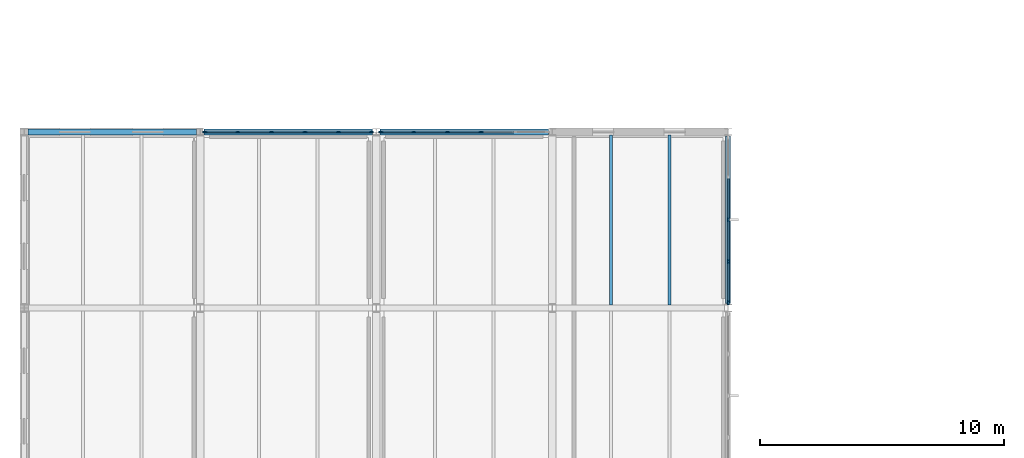
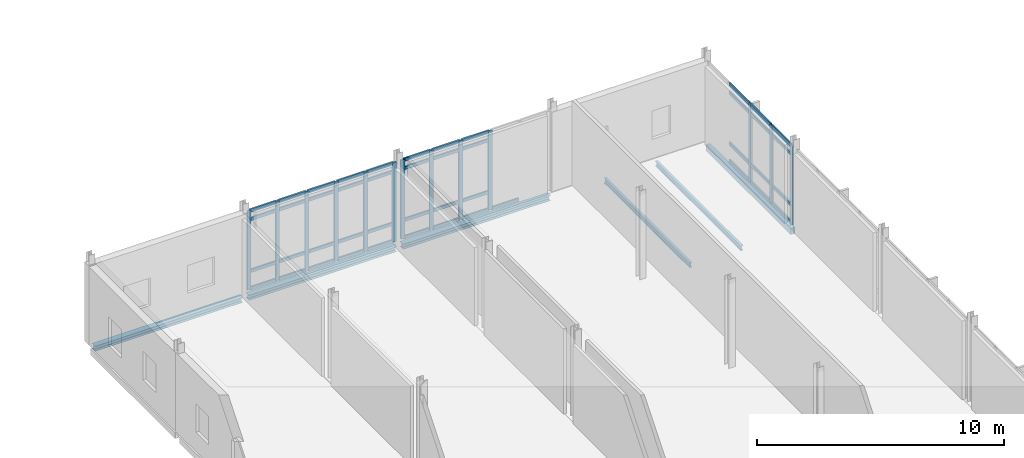
# One storey, part 13 of 43: 58 members, 6 beams, 3 elements without a shape of their own.
"""IFC4 building model written with IfcOpenShell, lengths in metres."""

from ifc_helpers import new_model, si_unit, direction, frame, origin, origin_2d, place, context, subcontext, project, spatial, rectangle, hollow_rectangle, i_section, extrude, material, layer, layer_set, material_profile, profile_set, type_object, element, aggregate, save


model = new_model("IFC4")

# Units and contexts
model_context = context("Model", 3, precision=1e-05, world=origin(), true_north=direction((0.0, 1.0)))
body_context = subcontext(model_context, "Body", "Model", "MODEL_VIEW")
ifc_project = project(units=[si_unit("LENGTHUNIT", "METRE"), si_unit("AREAUNIT", "SQUARE_METRE"), si_unit("VOLUMEUNIT", "CUBIC_METRE"), si_unit("PLANEANGLEUNIT", "RADIAN"), si_unit("MASSUNIT", "GRAM", prefix="KILO")], contexts=[model_context])

# Site, building, storey
site_placement = place(None, origin())
site = spatial("IfcSite", under=ifc_project, at=site_placement, CompositionType="ELEMENT")
building_placement = place(site_placement, origin())
building = spatial("IfcBuilding", under=site, at=building_placement, Name="Zarrinpeak Specialist Clinic", CompositionType="ELEMENT")
storey_placement = place(building_placement, frame((0.0, 0.0, 18.39990234375)))
storey = spatial("IfcBuildingStorey", under=building, at=storey_placement, Name="L04", CompositionType="ELEMENT", Elevation=18.39990234375)

# Beams
ifc_material_1 = material(Name="Steel S355", Category="steel")
ifc_material_profile_1 = material_profile(ifc_material_1, i_section(OverallWidth=0.260009765625, OverallDepth=0.25, WebThickness=0.007568359375, FlangeThickness=0.012451171875, FilletRadius=0.02392578125, at=origin_2d()), Name="HEA 260")
ifc_profile_set_1 = profile_set([ifc_material_profile_1], Name="Steel S355")
beam_type_1 = type_object("IfcBeamType", Name="BM-HEA260", PredefinedType="BEAM", material=ifc_profile_set_1)
for number, where, z_axis, x_axis, name in (
    (1, (0.14794921875, 50.39990234375, -0.324951171875), (1.0, 0.0, 0.0), (0.0, 1.0, 0.0), "L04 Primary Floor Girder BM-L04-X1859"),
    (2, (7.347900390625, 50.39990234375, -0.324951171875), (1.0, 0.0, 0.0), (0.0, 1.0, 0.0), "L04 Primary Floor Girder BM-L04-X1860"),
):
    element("IfcBeam", number, at=place(storey_placement, frame(where, z_axis=z_axis, x_axis=x_axis)), inside=storey, type_object=beam_type_1, Name=name, PredefinedType="BEAM", context=body_context, shape_type="SweptSolid", body=[
        extrude(i_section(OverallWidth=0.260009765625, OverallDepth=0.25, WebThickness=0.007568359375, FlangeThickness=0.012451171875, FilletRadius=0.02392578125, at=origin_2d()), origin(), (0.0, 0.0, 1.0), 6.904052734375),
    ])
beam_1_placement = place(storey_placement, frame((14.548095703125, 50.39990234375, -0.324951171875), z_axis=(1.0, 0.0, 0.0), x_axis=(0.0, 1.0, 0.0)))
element("IfcBeam", 3, at=beam_1_placement, inside=storey, type_object=beam_type_1, Name="L04 Primary Floor Girder BM-L04-X1861", PredefinedType="BEAM", context=body_context, shape_type="SweptSolid", body=[
    extrude(i_section(OverallWidth=0.260009765625, OverallDepth=0.25, WebThickness=0.007568359375, FlangeThickness=0.012451171875, FilletRadius=0.02392578125, at=origin_2d()), origin(), (0.0, 0.0, 1.0), 6.90380859375),
])
ifc_material_profile_2 = material_profile(ifc_material_1, i_section(OverallWidth=0.1201171875, OverallDepth=0.239990234375, WebThickness=0.006103515625, FlangeThickness=0.009765625, FilletRadius=0.014892578125, at=origin_2d()), Name="IPE 240")
ifc_profile_set_2 = profile_set([ifc_material_profile_2], Name="Steel S355")
beam_type_2 = type_object("IfcBeamType", Name="BM-JST240", PredefinedType="JOIST", material=ifc_profile_set_2)
for number, where, z_axis, x_axis, name in (
    (4, (24.0, 43.327880859375, -0.31982421875), (0.0, 1.0, 0.0), (-1.0, 0.0, 0.0), "L04 Composite Floor Joist JST-L04-1987"),
    (5, (26.39990234375, 43.327880859375, -0.31982421875), (0.0, 1.0, 0.0), (-1.0, 0.0, 0.0), "L04 Composite Floor Joist JST-L04-1988"),
):
    element("IfcBeam", number, at=place(storey_placement, frame(where, z_axis=z_axis, x_axis=x_axis)), inside=storey, type_object=beam_type_2, Name=name, PredefinedType="JOIST", context=body_context, shape_type="SweptSolid", body=[
        extrude(i_section(OverallWidth=0.1201171875, OverallDepth=0.239990234375, WebThickness=0.006103515625, FlangeThickness=0.009765625, FilletRadius=0.014892578125, at=origin_2d()), origin(), (0.0, 0.0, 1.0), 6.944091796875),
    ])
ifc_material_profile_3 = material_profile(ifc_material_1, hollow_rectangle(XDim=0.199951171875, YDim=0.300048828125, WallThickness=0.012451171875, at=origin_2d()), Name="RHS 300x200x12.5")
ifc_profile_set_3 = profile_set([ifc_material_profile_3], Name="Steel S355")
beam_type_3 = type_object("IfcBeamType", Name="BM-SP300", PredefinedType="SPANDREL", material=ifc_profile_set_3)
beam_2_placement = place(storey_placement, frame((28.800048828125, 43.3779296875, -0.349853515625), z_axis=(0.0, 1.0, 0.0), x_axis=(-1.0, 0.0, 0.0)))
element("IfcBeam", 6, at=beam_2_placement, inside=storey, type_object=beam_type_3, Name="L04 Perimeter Spandrel Beam BM-L04-Y1909", PredefinedType="SPANDREL", context=body_context, shape_type="SweptSolid", body=[
    extrude(hollow_rectangle(XDim=0.199951171875, YDim=0.300048828125, WallThickness=0.012451171875, at=origin_2d()), origin(), (0.0, 0.0, 1.0), 6.864013671875),
])

# Curtain wall, members
ifc_material_2 = material(Name="Anodised Aluminium Alloy 6063-T6", Category="aluminium")
ifc_layer_1 = layer(ifc_material_2, 0.1650390625)
ifc_layer_set_1 = layer_set([ifc_layer_1], Name="Anodised Aluminium Alloy 6063-T6")
curtain_wall_type_1 = type_object("IfcCurtainWallType", Name="CW-CLINIC", PredefinedType="NOTDEFINED", material=ifc_layer_set_1)
curtain_wall_1_placement = place(storey_placement, origin())
curtain_wall_1 = element("IfcCurtainWall", 7, at=curtain_wall_1_placement, inside=storey, type_object=curtain_wall_type_1, Name="L04 V1 Unitised Curtain Wall CW-L04-V1-025", PredefinedType="NOTDEFINED")
ifc_material_profile_4 = material_profile(ifc_material_2, rectangle(XDim=0.074951171875, YDim=0.179931640625, at=origin_2d()), Name="ALU 75x180")
ifc_profile_set_4 = profile_set([ifc_material_profile_4], Name="Anodised Aluminium Alloy 6063-T6")
member_type_1 = type_object("IfcMemberType", Name="CWM-75", PredefinedType="MULLION", material=ifc_profile_set_4)
member_1_placement = place(storey_placement, frame((14.197509765625, 50.39990234375, 0.0), z_axis=(0.0, 0.0, 1.0), x_axis=(0.0, -1.0, 0.0)))
member_1 = element("IfcMember", 8, at=member_1_placement, type_object=member_type_1, Name="CW-03 mullion 1", PredefinedType="MULLION", context=body_context, shape_type="SweptSolid", body=[
    extrude(rectangle(XDim=0.074951171875, YDim=0.179931640625, at=origin_2d()), origin(), (0.0, 0.0, 1.0), 3.9150390625),
])
member_2_placement = place(storey_placement, frame((12.861083984375, 50.39990234375, 0.0), z_axis=(0.0, 0.0, 1.0), x_axis=(0.0, -1.0, 0.0)))
member_2 = element("IfcMember", 9, at=member_2_placement, type_object=member_type_1, Name="CW-03 mullion 2", PredefinedType="MULLION", context=body_context, shape_type="SweptSolid", body=[
    extrude(rectangle(XDim=0.074951171875, YDim=0.179931640625, at=origin_2d()), origin(), (0.0, 0.0, 1.0), 3.9150390625),
])
member_3_placement = place(storey_placement, frame((11.487060546875, 50.39990234375, 0.0), z_axis=(0.0, 0.0, 1.0), x_axis=(0.0, -1.0, 0.0)))
member_3 = element("IfcMember", 10, at=member_3_placement, type_object=member_type_1, Name="CW-03 mullion 3", PredefinedType="MULLION", context=body_context, shape_type="SweptSolid", body=[
    extrude(rectangle(XDim=0.074951171875, YDim=0.179931640625, at=origin_2d()), origin(), (0.0, 0.0, 1.0), 3.9150390625),
])
member_4_placement = place(storey_placement, frame((10.113037109375, 50.39990234375, 0.0), z_axis=(0.0, 0.0, 1.0), x_axis=(0.0, -1.0, 0.0)))
member_4 = element("IfcMember", 11, at=member_4_placement, type_object=member_type_1, Name="CW-03 mullion 4", PredefinedType="MULLION", context=body_context, shape_type="SweptSolid", body=[
    extrude(rectangle(XDim=0.074951171875, YDim=0.179931640625, at=origin_2d()), origin(), (0.0, 0.0, 1.0), 3.9150390625),
])
member_5_placement = place(storey_placement, frame((8.739013671875, 50.39990234375, 0.0), z_axis=(0.0, 0.0, 1.0), x_axis=(0.0, -1.0, 0.0)))
member_5 = element("IfcMember", 12, at=member_5_placement, type_object=member_type_1, Name="CW-03 mullion 5", PredefinedType="MULLION", context=body_context, shape_type="SweptSolid", body=[
    extrude(rectangle(XDim=0.074951171875, YDim=0.179931640625, at=origin_2d()), origin(), (0.0, 0.0, 1.0), 3.9150390625),
])
member_6_placement = place(storey_placement, frame((7.402587890625, 50.39990234375, 0.0), z_axis=(0.0, 0.0, 1.0), x_axis=(0.0, -1.0, 0.0)))
member_6 = element("IfcMember", 13, at=member_6_placement, type_object=member_type_1, Name="CW-03 mullion 6", PredefinedType="MULLION", context=body_context, shape_type="SweptSolid", body=[
    extrude(rectangle(XDim=0.074951171875, YDim=0.179931640625, at=origin_2d()), origin(), (0.0, 0.0, 1.0), 3.9150390625),
])

curtain_wall_2_placement = place(storey_placement, origin())
curtain_wall_2 = element("IfcCurtainWall", 14, at=curtain_wall_2_placement, inside=storey, type_object=curtain_wall_type_1, Name="L04 V1 Unitised Curtain Wall CW-L04-V1-026", PredefinedType="NOTDEFINED")
member_7_placement = place(storey_placement, frame((18.68701171875, 50.39990234375, 0.0), z_axis=(0.0, 0.0, 1.0), x_axis=(0.0, -1.0, 0.0)))
member_7 = element("IfcMember", 15, at=member_7_placement, type_object=member_type_1, Name="CW-03 mullion 3", PredefinedType="MULLION", context=body_context, shape_type="SweptSolid", body=[
    extrude(rectangle(XDim=0.074951171875, YDim=0.179931640625, at=origin_2d()), origin(), (0.0, 0.0, 1.0), 3.9150390625),
])
member_8_placement = place(storey_placement, frame((17.31298828125, 50.39990234375, 0.0), z_axis=(0.0, 0.0, 1.0), x_axis=(0.0, -1.0, 0.0)))
member_8 = element("IfcMember", 16, at=member_8_placement, type_object=member_type_1, Name="CW-03 mullion 4", PredefinedType="MULLION", context=body_context, shape_type="SweptSolid", body=[
    extrude(rectangle(XDim=0.074951171875, YDim=0.179931640625, at=origin_2d()), origin(), (0.0, 0.0, 1.0), 3.9150390625),
])
member_9_placement = place(storey_placement, frame((15.93896484375, 50.39990234375, 0.0), z_axis=(0.0, 0.0, 1.0), x_axis=(0.0, -1.0, 0.0)))
member_9 = element("IfcMember", 17, at=member_9_placement, type_object=member_type_1, Name="CW-03 mullion 5", PredefinedType="MULLION", context=body_context, shape_type="SweptSolid", body=[
    extrude(rectangle(XDim=0.074951171875, YDim=0.179931640625, at=origin_2d()), origin(), (0.0, 0.0, 1.0), 3.9150390625),
])
member_10_placement = place(storey_placement, frame((14.6025390625, 50.39990234375, 0.0), z_axis=(0.0, 0.0, 1.0), x_axis=(0.0, -1.0, 0.0)))
member_10 = element("IfcMember", 18, at=member_10_placement, type_object=member_type_1, Name="CW-03 mullion 6", PredefinedType="MULLION", context=body_context, shape_type="SweptSolid", body=[
    extrude(rectangle(XDim=0.074951171875, YDim=0.179931640625, at=origin_2d()), origin(), (0.0, 0.0, 1.0), 3.9150390625),
])

ifc_layer_2 = layer(ifc_material_2, 0.179931640625)
ifc_layer_set_2 = layer_set([ifc_layer_2], Name="Anodised Aluminium Alloy 6063-T6")
curtain_wall_type_2 = type_object("IfcCurtainWallType", Name="CW-COURT", PredefinedType="NOTDEFINED", material=ifc_layer_set_2)
curtain_wall_3_placement = place(storey_placement, origin())
curtain_wall_3 = element("IfcCurtainWall", 19, at=curtain_wall_3_placement, inside=storey, type_object=curtain_wall_type_2, Name="L04 V1 Unitised Curtain Wall CW-L04-V1-030", PredefinedType="NOTDEFINED")
member_11_placement = place(storey_placement, frame((28.800048828125, 43.422607421875, 0.0), z_axis=(0.0, 0.0, 1.0), x_axis=(-1.0, 0.0, 0.0)))
member_11 = element("IfcMember", 20, at=member_11_placement, type_object=member_type_1, Name="CW-01 mullion 1", PredefinedType="MULLION", context=body_context, shape_type="SweptSolid", body=[
    extrude(rectangle(XDim=0.074951171875, YDim=0.179931640625, at=origin_2d()), origin(), (0.0, 0.0, 1.0), 3.864990234375),
])
member_12_placement = place(storey_placement, frame((28.800048828125, 45.097412109375, 0.0), z_axis=(0.0, 0.0, 1.0), x_axis=(-1.0, 0.0, 0.0)))
member_12 = element("IfcMember", 21, at=member_12_placement, type_object=member_type_1, Name="CW-01 mullion 2", PredefinedType="MULLION", context=body_context, shape_type="SweptSolid", body=[
    extrude(rectangle(XDim=0.074951171875, YDim=0.179931640625, at=origin_2d()), origin(), (0.0, 0.0, 1.0), 3.864990234375),
])
member_13_placement = place(storey_placement, frame((28.800048828125, 46.81005859375, 0.0), z_axis=(0.0, 0.0, 1.0), x_axis=(-1.0, 0.0, 0.0)))
member_13 = element("IfcMember", 22, at=member_13_placement, type_object=member_type_1, Name="CW-01 mullion 3", PredefinedType="MULLION", context=body_context, shape_type="SweptSolid", body=[
    extrude(rectangle(XDim=0.074951171875, YDim=0.179931640625, at=origin_2d()), origin(), (0.0, 0.0, 1.0), 3.864990234375),
])

# Member
ifc_material_profile_5 = material_profile(ifc_material_2, rectangle(XDim=0.074951171875, YDim=0.159912109375, at=origin_2d()), Name="ALU 75x160")
ifc_profile_set_5 = profile_set([ifc_material_profile_5], Name="Anodised Aluminium Alloy 6063-T6")
member_type_2 = type_object("IfcMemberType", Name="CWT-75", PredefinedType="USERDEFINED", material=ifc_profile_set_5)
member_14_placement = place(storey_placement, frame((14.159912109375, 50.39990234375, 0.03759765625), z_axis=(-1.0, 0.0, 0.0), x_axis=(0.0, -1.0, 0.0)))
member_14 = element("IfcMember", 23, at=member_14_placement, type_object=member_type_2, Name="CW-03 transom 1.1", ObjectType="TRANSOM", PredefinedType="USERDEFINED", context=body_context, shape_type="SweptSolid", body=[
    extrude(rectangle(XDim=0.074951171875, YDim=0.159912109375, at=origin_2d()), origin(), (0.0, 0.0, 1.0), 1.261474609375),
])

member_15_placement = place(storey_placement, frame((14.159912109375, 50.39990234375, 0.900146484375), z_axis=(-1.0, 0.0, 0.0), x_axis=(0.0, -1.0, 0.0)))
member_15 = element("IfcMember", 24, at=member_15_placement, type_object=member_type_2, Name="CW-03 transom 1.2", ObjectType="TRANSOM", PredefinedType="USERDEFINED", context=body_context, shape_type="SweptSolid", body=[
    extrude(rectangle(XDim=0.074951171875, YDim=0.159912109375, at=origin_2d()), origin(), (0.0, 0.0, 1.0), 1.261474609375),
])

member_16_placement = place(storey_placement, frame((14.159912109375, 50.39990234375, 3.465087890625), z_axis=(-1.0, 0.0, 0.0), x_axis=(0.0, -1.0, 0.0)))
member_16 = element("IfcMember", 25, at=member_16_placement, type_object=member_type_2, Name="CW-03 transom 1.3", ObjectType="TRANSOM", PredefinedType="USERDEFINED", context=body_context, shape_type="SweptSolid", body=[
    extrude(rectangle(XDim=0.074951171875, YDim=0.159912109375, at=origin_2d()), origin(), (0.0, 0.0, 1.0), 1.261474609375),
])

member_17_placement = place(storey_placement, frame((14.159912109375, 50.39990234375, 3.877685546875), z_axis=(-1.0, 0.0, 0.0), x_axis=(0.0, -1.0, 0.0)))
member_17 = element("IfcMember", 26, at=member_17_placement, type_object=member_type_2, Name="CW-03 transom 1.4", ObjectType="TRANSOM", PredefinedType="USERDEFINED", context=body_context, shape_type="SweptSolid", body=[
    extrude(rectangle(XDim=0.074951171875, YDim=0.159912109375, at=origin_2d()), origin(), (0.0, 0.0, 1.0), 1.261474609375),
])

member_18_placement = place(storey_placement, frame((12.823486328125, 50.39990234375, 0.03759765625), z_axis=(-1.0, 0.0, 0.0), x_axis=(0.0, -1.0, 0.0)))
member_18 = element("IfcMember", 27, at=member_18_placement, type_object=member_type_2, Name="CW-03 transom 2.1", ObjectType="TRANSOM", PredefinedType="USERDEFINED", context=body_context, shape_type="SweptSolid", body=[
    extrude(rectangle(XDim=0.074951171875, YDim=0.159912109375, at=origin_2d()), origin(), (0.0, 0.0, 1.0), 1.299072265625),
])

member_19_placement = place(storey_placement, frame((12.823486328125, 50.39990234375, 0.900146484375), z_axis=(-1.0, 0.0, 0.0), x_axis=(0.0, -1.0, 0.0)))
member_19 = element("IfcMember", 28, at=member_19_placement, type_object=member_type_2, Name="CW-03 transom 2.2", ObjectType="TRANSOM", PredefinedType="USERDEFINED", context=body_context, shape_type="SweptSolid", body=[
    extrude(rectangle(XDim=0.074951171875, YDim=0.159912109375, at=origin_2d()), origin(), (0.0, 0.0, 1.0), 1.299072265625),
])

member_20_placement = place(storey_placement, frame((12.823486328125, 50.39990234375, 3.465087890625), z_axis=(-1.0, 0.0, 0.0), x_axis=(0.0, -1.0, 0.0)))
member_20 = element("IfcMember", 29, at=member_20_placement, type_object=member_type_2, Name="CW-03 transom 2.3", ObjectType="TRANSOM", PredefinedType="USERDEFINED", context=body_context, shape_type="SweptSolid", body=[
    extrude(rectangle(XDim=0.074951171875, YDim=0.159912109375, at=origin_2d()), origin(), (0.0, 0.0, 1.0), 1.299072265625),
])

member_21_placement = place(storey_placement, frame((12.823486328125, 50.39990234375, 3.877685546875), z_axis=(-1.0, 0.0, 0.0), x_axis=(0.0, -1.0, 0.0)))
member_21 = element("IfcMember", 30, at=member_21_placement, type_object=member_type_2, Name="CW-03 transom 2.4", ObjectType="TRANSOM", PredefinedType="USERDEFINED", context=body_context, shape_type="SweptSolid", body=[
    extrude(rectangle(XDim=0.074951171875, YDim=0.159912109375, at=origin_2d()), origin(), (0.0, 0.0, 1.0), 1.299072265625),
])

member_22_placement = place(storey_placement, frame((11.449462890625, 50.39990234375, 0.03759765625), z_axis=(-1.0, 0.0, 0.0), x_axis=(0.0, -1.0, 0.0)))
member_22 = element("IfcMember", 31, at=member_22_placement, type_object=member_type_2, Name="CW-03 transom 3.1", ObjectType="TRANSOM", PredefinedType="USERDEFINED", context=body_context, shape_type="SweptSolid", body=[
    extrude(rectangle(XDim=0.074951171875, YDim=0.159912109375, at=origin_2d()), origin(), (0.0, 0.0, 1.0), 1.299072265625),
])

member_23_placement = place(storey_placement, frame((11.449462890625, 50.39990234375, 0.900146484375), z_axis=(-1.0, 0.0, 0.0), x_axis=(0.0, -1.0, 0.0)))
member_23 = element("IfcMember", 32, at=member_23_placement, type_object=member_type_2, Name="CW-03 transom 3.2", ObjectType="TRANSOM", PredefinedType="USERDEFINED", context=body_context, shape_type="SweptSolid", body=[
    extrude(rectangle(XDim=0.074951171875, YDim=0.159912109375, at=origin_2d()), origin(), (0.0, 0.0, 1.0), 1.299072265625),
])

member_24_placement = place(storey_placement, frame((11.449462890625, 50.39990234375, 3.465087890625), z_axis=(-1.0, 0.0, 0.0), x_axis=(0.0, -1.0, 0.0)))
member_24 = element("IfcMember", 33, at=member_24_placement, type_object=member_type_2, Name="CW-03 transom 3.3", ObjectType="TRANSOM", PredefinedType="USERDEFINED", context=body_context, shape_type="SweptSolid", body=[
    extrude(rectangle(XDim=0.074951171875, YDim=0.159912109375, at=origin_2d()), origin(), (0.0, 0.0, 1.0), 1.299072265625),
])

member_25_placement = place(storey_placement, frame((11.449462890625, 50.39990234375, 3.877685546875), z_axis=(-1.0, 0.0, 0.0), x_axis=(0.0, -1.0, 0.0)))
member_25 = element("IfcMember", 34, at=member_25_placement, type_object=member_type_2, Name="CW-03 transom 3.4", ObjectType="TRANSOM", PredefinedType="USERDEFINED", context=body_context, shape_type="SweptSolid", body=[
    extrude(rectangle(XDim=0.074951171875, YDim=0.159912109375, at=origin_2d()), origin(), (0.0, 0.0, 1.0), 1.299072265625),
])

member_26_placement = place(storey_placement, frame((10.075439453125, 50.39990234375, 0.03759765625), z_axis=(-1.0, 0.0, 0.0), x_axis=(0.0, -1.0, 0.0)))
member_26 = element("IfcMember", 35, at=member_26_placement, type_object=member_type_2, Name="CW-03 transom 4.1", ObjectType="TRANSOM", PredefinedType="USERDEFINED", context=body_context, shape_type="SweptSolid", body=[
    extrude(rectangle(XDim=0.074951171875, YDim=0.159912109375, at=origin_2d()), origin(), (0.0, 0.0, 1.0), 1.298828125),
])

member_27_placement = place(storey_placement, frame((10.075439453125, 50.39990234375, 0.900146484375), z_axis=(-1.0, 0.0, 0.0), x_axis=(0.0, -1.0, 0.0)))
member_27 = element("IfcMember", 36, at=member_27_placement, type_object=member_type_2, Name="CW-03 transom 4.2", ObjectType="TRANSOM", PredefinedType="USERDEFINED", context=body_context, shape_type="SweptSolid", body=[
    extrude(rectangle(XDim=0.074951171875, YDim=0.159912109375, at=origin_2d()), origin(), (0.0, 0.0, 1.0), 1.298828125),
])

member_28_placement = place(storey_placement, frame((10.075439453125, 50.39990234375, 3.465087890625), z_axis=(-1.0, 0.0, 0.0), x_axis=(0.0, -1.0, 0.0)))
member_28 = element("IfcMember", 37, at=member_28_placement, type_object=member_type_2, Name="CW-03 transom 4.3", ObjectType="TRANSOM", PredefinedType="USERDEFINED", context=body_context, shape_type="SweptSolid", body=[
    extrude(rectangle(XDim=0.074951171875, YDim=0.159912109375, at=origin_2d()), origin(), (0.0, 0.0, 1.0), 1.298828125),
])

member_29_placement = place(storey_placement, frame((10.075439453125, 50.39990234375, 3.877685546875), z_axis=(-1.0, 0.0, 0.0), x_axis=(0.0, -1.0, 0.0)))
member_29 = element("IfcMember", 38, at=member_29_placement, type_object=member_type_2, Name="CW-03 transom 4.4", ObjectType="TRANSOM", PredefinedType="USERDEFINED", context=body_context, shape_type="SweptSolid", body=[
    extrude(rectangle(XDim=0.074951171875, YDim=0.159912109375, at=origin_2d()), origin(), (0.0, 0.0, 1.0), 1.298828125),
])

member_30_placement = place(storey_placement, frame((8.701416015625, 50.39990234375, 0.03759765625), z_axis=(-1.0, 0.0, 0.0), x_axis=(0.0, -1.0, 0.0)))
member_30 = element("IfcMember", 39, at=member_30_placement, type_object=member_type_2, Name="CW-03 transom 5.1", ObjectType="TRANSOM", PredefinedType="USERDEFINED", context=body_context, shape_type="SweptSolid", body=[
    extrude(rectangle(XDim=0.074951171875, YDim=0.159912109375, at=origin_2d()), origin(), (0.0, 0.0, 1.0), 1.261474609375),
])

member_31_placement = place(storey_placement, frame((8.701416015625, 50.39990234375, 0.900146484375), z_axis=(-1.0, 0.0, 0.0), x_axis=(0.0, -1.0, 0.0)))
member_31 = element("IfcMember", 40, at=member_31_placement, type_object=member_type_2, Name="CW-03 transom 5.2", ObjectType="TRANSOM", PredefinedType="USERDEFINED", context=body_context, shape_type="SweptSolid", body=[
    extrude(rectangle(XDim=0.074951171875, YDim=0.159912109375, at=origin_2d()), origin(), (0.0, 0.0, 1.0), 1.261474609375),
])

member_32_placement = place(storey_placement, frame((8.701416015625, 50.39990234375, 3.465087890625), z_axis=(-1.0, 0.0, 0.0), x_axis=(0.0, -1.0, 0.0)))
member_32 = element("IfcMember", 41, at=member_32_placement, type_object=member_type_2, Name="CW-03 transom 5.3", ObjectType="TRANSOM", PredefinedType="USERDEFINED", context=body_context, shape_type="SweptSolid", body=[
    extrude(rectangle(XDim=0.074951171875, YDim=0.159912109375, at=origin_2d()), origin(), (0.0, 0.0, 1.0), 1.261474609375),
])

member_33_placement = place(storey_placement, frame((8.701416015625, 50.39990234375, 3.877685546875), z_axis=(-1.0, 0.0, 0.0), x_axis=(0.0, -1.0, 0.0)))
member_33 = element("IfcMember", 42, at=member_33_placement, type_object=member_type_2, Name="CW-03 transom 5.4", ObjectType="TRANSOM", PredefinedType="USERDEFINED", context=body_context, shape_type="SweptSolid", body=[
    extrude(rectangle(XDim=0.074951171875, YDim=0.159912109375, at=origin_2d()), origin(), (0.0, 0.0, 1.0), 1.261474609375),
])

aggregate(curtain_wall_1, [member_1, member_2, member_3, member_4, member_5, member_6, member_14, member_15, member_16, member_17, member_18, member_19, member_20, member_21, member_22, member_23, member_24, member_25, member_26, member_27, member_28, member_29, member_30, member_31, member_32, member_33])

member_34_placement = place(storey_placement, frame((20.0234375, 50.39990234375, 0.03759765625), z_axis=(-1.0, 0.0, 0.0), x_axis=(0.0, -1.0, 0.0)))
member_34 = element("IfcMember", 43, at=member_34_placement, type_object=member_type_2, Name="CW-03 transom 2.1", ObjectType="TRANSOM", PredefinedType="USERDEFINED", context=body_context, shape_type="SweptSolid", body=[
    extrude(rectangle(XDim=0.074951171875, YDim=0.159912109375, at=origin_2d()), origin(), (0.0, 0.0, 1.0), 1.298828125),
])

member_35_placement = place(storey_placement, frame((18.6494140625, 50.39990234375, 0.03759765625), z_axis=(-1.0, 0.0, 0.0), x_axis=(0.0, -1.0, 0.0)))
member_35 = element("IfcMember", 44, at=member_35_placement, type_object=member_type_2, Name="CW-03 transom 3.1", ObjectType="TRANSOM", PredefinedType="USERDEFINED", context=body_context, shape_type="SweptSolid", body=[
    extrude(rectangle(XDim=0.074951171875, YDim=0.159912109375, at=origin_2d()), origin(), (0.0, 0.0, 1.0), 1.298828125),
])

member_36_placement = place(storey_placement, frame((18.6494140625, 50.39990234375, 0.900146484375), z_axis=(-1.0, 0.0, 0.0), x_axis=(0.0, -1.0, 0.0)))
member_36 = element("IfcMember", 45, at=member_36_placement, type_object=member_type_2, Name="CW-03 transom 3.2", ObjectType="TRANSOM", PredefinedType="USERDEFINED", context=body_context, shape_type="SweptSolid", body=[
    extrude(rectangle(XDim=0.074951171875, YDim=0.159912109375, at=origin_2d()), origin(), (0.0, 0.0, 1.0), 1.298828125),
])

member_37_placement = place(storey_placement, frame((18.6494140625, 50.39990234375, 3.465087890625), z_axis=(-1.0, 0.0, 0.0), x_axis=(0.0, -1.0, 0.0)))
member_37 = element("IfcMember", 46, at=member_37_placement, type_object=member_type_2, Name="CW-03 transom 3.3", ObjectType="TRANSOM", PredefinedType="USERDEFINED", context=body_context, shape_type="SweptSolid", body=[
    extrude(rectangle(XDim=0.074951171875, YDim=0.159912109375, at=origin_2d()), origin(), (0.0, 0.0, 1.0), 1.298828125),
])

member_38_placement = place(storey_placement, frame((18.6494140625, 50.39990234375, 3.877685546875), z_axis=(-1.0, 0.0, 0.0), x_axis=(0.0, -1.0, 0.0)))
member_38 = element("IfcMember", 47, at=member_38_placement, type_object=member_type_2, Name="CW-03 transom 3.4", ObjectType="TRANSOM", PredefinedType="USERDEFINED", context=body_context, shape_type="SweptSolid", body=[
    extrude(rectangle(XDim=0.074951171875, YDim=0.159912109375, at=origin_2d()), origin(), (0.0, 0.0, 1.0), 1.298828125),
])

member_39_placement = place(storey_placement, frame((17.275390625, 50.39990234375, 0.03759765625), z_axis=(-1.0, 0.0, 0.0), x_axis=(0.0, -1.0, 0.0)))
member_39 = element("IfcMember", 48, at=member_39_placement, type_object=member_type_2, Name="CW-03 transom 4.1", ObjectType="TRANSOM", PredefinedType="USERDEFINED", context=body_context, shape_type="SweptSolid", body=[
    extrude(rectangle(XDim=0.074951171875, YDim=0.159912109375, at=origin_2d()), origin(), (0.0, 0.0, 1.0), 1.298828125),
])

member_40_placement = place(storey_placement, frame((17.275390625, 50.39990234375, 0.900146484375), z_axis=(-1.0, 0.0, 0.0), x_axis=(0.0, -1.0, 0.0)))
member_40 = element("IfcMember", 49, at=member_40_placement, type_object=member_type_2, Name="CW-03 transom 4.2", ObjectType="TRANSOM", PredefinedType="USERDEFINED", context=body_context, shape_type="SweptSolid", body=[
    extrude(rectangle(XDim=0.074951171875, YDim=0.159912109375, at=origin_2d()), origin(), (0.0, 0.0, 1.0), 1.298828125),
])

member_41_placement = place(storey_placement, frame((17.275390625, 50.39990234375, 3.465087890625), z_axis=(-1.0, 0.0, 0.0), x_axis=(0.0, -1.0, 0.0)))
member_41 = element("IfcMember", 50, at=member_41_placement, type_object=member_type_2, Name="CW-03 transom 4.3", ObjectType="TRANSOM", PredefinedType="USERDEFINED", context=body_context, shape_type="SweptSolid", body=[
    extrude(rectangle(XDim=0.074951171875, YDim=0.159912109375, at=origin_2d()), origin(), (0.0, 0.0, 1.0), 1.298828125),
])

member_42_placement = place(storey_placement, frame((17.275390625, 50.39990234375, 3.877685546875), z_axis=(-1.0, 0.0, 0.0), x_axis=(0.0, -1.0, 0.0)))
member_42 = element("IfcMember", 51, at=member_42_placement, type_object=member_type_2, Name="CW-03 transom 4.4", ObjectType="TRANSOM", PredefinedType="USERDEFINED", context=body_context, shape_type="SweptSolid", body=[
    extrude(rectangle(XDim=0.074951171875, YDim=0.159912109375, at=origin_2d()), origin(), (0.0, 0.0, 1.0), 1.298828125),
])

member_43_placement = place(storey_placement, frame((15.901611328125, 50.39990234375, 0.03759765625), z_axis=(-1.0, 0.0, 0.0), x_axis=(0.0, -1.0, 0.0)))
member_43 = element("IfcMember", 52, at=member_43_placement, type_object=member_type_2, Name="CW-03 transom 5.1", ObjectType="TRANSOM", PredefinedType="USERDEFINED", context=body_context, shape_type="SweptSolid", body=[
    extrude(rectangle(XDim=0.074951171875, YDim=0.159912109375, at=origin_2d()), origin(), (0.0, 0.0, 1.0), 1.26171875),
])

member_44_placement = place(storey_placement, frame((15.901611328125, 50.39990234375, 0.900146484375), z_axis=(-1.0, 0.0, 0.0), x_axis=(0.0, -1.0, 0.0)))
member_44 = element("IfcMember", 53, at=member_44_placement, type_object=member_type_2, Name="CW-03 transom 5.2", ObjectType="TRANSOM", PredefinedType="USERDEFINED", context=body_context, shape_type="SweptSolid", body=[
    extrude(rectangle(XDim=0.074951171875, YDim=0.159912109375, at=origin_2d()), origin(), (0.0, 0.0, 1.0), 1.26171875),
])

member_45_placement = place(storey_placement, frame((15.901611328125, 50.39990234375, 3.465087890625), z_axis=(-1.0, 0.0, 0.0), x_axis=(0.0, -1.0, 0.0)))
member_45 = element("IfcMember", 54, at=member_45_placement, type_object=member_type_2, Name="CW-03 transom 5.3", ObjectType="TRANSOM", PredefinedType="USERDEFINED", context=body_context, shape_type="SweptSolid", body=[
    extrude(rectangle(XDim=0.074951171875, YDim=0.159912109375, at=origin_2d()), origin(), (0.0, 0.0, 1.0), 1.26171875),
])

member_46_placement = place(storey_placement, frame((15.901611328125, 50.39990234375, 3.877685546875), z_axis=(-1.0, 0.0, 0.0), x_axis=(0.0, -1.0, 0.0)))
member_46 = element("IfcMember", 55, at=member_46_placement, type_object=member_type_2, Name="CW-03 transom 5.4", ObjectType="TRANSOM", PredefinedType="USERDEFINED", context=body_context, shape_type="SweptSolid", body=[
    extrude(rectangle(XDim=0.074951171875, YDim=0.159912109375, at=origin_2d()), origin(), (0.0, 0.0, 1.0), 1.26171875),
])

aggregate(curtain_wall_2, [member_7, member_8, member_9, member_10, member_34, member_35, member_36, member_37, member_38, member_39, member_40, member_41, member_42, member_43, member_44, member_45, member_46])

member_47_placement = place(storey_placement, frame((28.800048828125, 43.4599609375, 0.03759765625), z_axis=(0.0, 1.0, 0.0), x_axis=(-1.0, 0.0, 0.0)))
member_47 = element("IfcMember", 56, at=member_47_placement, type_object=member_type_2, Name="CW-01 transom 1.1", ObjectType="TRANSOM", PredefinedType="USERDEFINED", context=body_context, shape_type="SweptSolid", body=[
    extrude(rectangle(XDim=0.074951171875, YDim=0.159912109375, at=origin_2d()), origin(), (0.0, 0.0, 1.0), 1.60009765625),
])

member_48_placement = place(storey_placement, frame((28.800048828125, 43.4599609375, 0.900146484375), z_axis=(0.0, 1.0, 0.0), x_axis=(-1.0, 0.0, 0.0)))
member_48 = element("IfcMember", 57, at=member_48_placement, type_object=member_type_2, Name="CW-01 transom 1.2", ObjectType="TRANSOM", PredefinedType="USERDEFINED", context=body_context, shape_type="SweptSolid", body=[
    extrude(rectangle(XDim=0.074951171875, YDim=0.159912109375, at=origin_2d()), origin(), (0.0, 0.0, 1.0), 1.60009765625),
])

member_49_placement = place(storey_placement, frame((28.800048828125, 43.4599609375, 3.4150390625), z_axis=(0.0, 1.0, 0.0), x_axis=(-1.0, 0.0, 0.0)))
member_49 = element("IfcMember", 58, at=member_49_placement, type_object=member_type_2, Name="CW-01 transom 1.3", ObjectType="TRANSOM", PredefinedType="USERDEFINED", context=body_context, shape_type="SweptSolid", body=[
    extrude(rectangle(XDim=0.074951171875, YDim=0.159912109375, at=origin_2d()), origin(), (0.0, 0.0, 1.0), 1.60009765625),
])

member_50_placement = place(storey_placement, frame((28.800048828125, 43.4599609375, 3.82763671875), z_axis=(0.0, 1.0, 0.0), x_axis=(-1.0, 0.0, 0.0)))
member_50 = element("IfcMember", 59, at=member_50_placement, type_object=member_type_2, Name="CW-01 transom 1.4", ObjectType="TRANSOM", PredefinedType="USERDEFINED", context=body_context, shape_type="SweptSolid", body=[
    extrude(rectangle(XDim=0.074951171875, YDim=0.159912109375, at=origin_2d()), origin(), (0.0, 0.0, 1.0), 1.60009765625),
])

member_51_placement = place(storey_placement, frame((28.800048828125, 45.135009765625, 0.03759765625), z_axis=(0.0, 1.0, 0.0), x_axis=(-1.0, 0.0, 0.0)))
member_51 = element("IfcMember", 60, at=member_51_placement, type_object=member_type_2, Name="CW-01 transom 2.1", ObjectType="TRANSOM", PredefinedType="USERDEFINED", context=body_context, shape_type="SweptSolid", body=[
    extrude(rectangle(XDim=0.074951171875, YDim=0.159912109375, at=origin_2d()), origin(), (0.0, 0.0, 1.0), 1.637451171875),
])

member_52_placement = place(storey_placement, frame((28.800048828125, 45.135009765625, 0.900146484375), z_axis=(0.0, 1.0, 0.0), x_axis=(-1.0, 0.0, 0.0)))
member_52 = element("IfcMember", 61, at=member_52_placement, type_object=member_type_2, Name="CW-01 transom 2.2", ObjectType="TRANSOM", PredefinedType="USERDEFINED", context=body_context, shape_type="SweptSolid", body=[
    extrude(rectangle(XDim=0.074951171875, YDim=0.159912109375, at=origin_2d()), origin(), (0.0, 0.0, 1.0), 1.637451171875),
])

member_53_placement = place(storey_placement, frame((28.800048828125, 45.135009765625, 3.4150390625), z_axis=(0.0, 1.0, 0.0), x_axis=(-1.0, 0.0, 0.0)))
member_53 = element("IfcMember", 62, at=member_53_placement, type_object=member_type_2, Name="CW-01 transom 2.3", ObjectType="TRANSOM", PredefinedType="USERDEFINED", context=body_context, shape_type="SweptSolid", body=[
    extrude(rectangle(XDim=0.074951171875, YDim=0.159912109375, at=origin_2d()), origin(), (0.0, 0.0, 1.0), 1.637451171875),
])

member_54_placement = place(storey_placement, frame((28.800048828125, 45.135009765625, 3.82763671875), z_axis=(0.0, 1.0, 0.0), x_axis=(-1.0, 0.0, 0.0)))
member_54 = element("IfcMember", 63, at=member_54_placement, type_object=member_type_2, Name="CW-01 transom 2.4", ObjectType="TRANSOM", PredefinedType="USERDEFINED", context=body_context, shape_type="SweptSolid", body=[
    extrude(rectangle(XDim=0.074951171875, YDim=0.159912109375, at=origin_2d()), origin(), (0.0, 0.0, 1.0), 1.637451171875),
])

member_55_placement = place(storey_placement, frame((28.800048828125, 46.847412109375, 0.03759765625), z_axis=(0.0, 1.0, 0.0), x_axis=(-1.0, 0.0, 0.0)))
member_55 = element("IfcMember", 64, at=member_55_placement, type_object=member_type_2, Name="CW-01 transom 3.1", ObjectType="TRANSOM", PredefinedType="USERDEFINED", context=body_context, shape_type="SweptSolid", body=[
    extrude(rectangle(XDim=0.074951171875, YDim=0.159912109375, at=origin_2d()), origin(), (0.0, 0.0, 1.0), 1.6376953125),
])

member_56_placement = place(storey_placement, frame((28.800048828125, 46.847412109375, 0.900146484375), z_axis=(0.0, 1.0, 0.0), x_axis=(-1.0, 0.0, 0.0)))
member_56 = element("IfcMember", 65, at=member_56_placement, type_object=member_type_2, Name="CW-01 transom 3.2", ObjectType="TRANSOM", PredefinedType="USERDEFINED", context=body_context, shape_type="SweptSolid", body=[
    extrude(rectangle(XDim=0.074951171875, YDim=0.159912109375, at=origin_2d()), origin(), (0.0, 0.0, 1.0), 1.6376953125),
])

member_57_placement = place(storey_placement, frame((28.800048828125, 46.847412109375, 3.4150390625), z_axis=(0.0, 1.0, 0.0), x_axis=(-1.0, 0.0, 0.0)))
member_57 = element("IfcMember", 66, at=member_57_placement, type_object=member_type_2, Name="CW-01 transom 3.3", ObjectType="TRANSOM", PredefinedType="USERDEFINED", context=body_context, shape_type="SweptSolid", body=[
    extrude(rectangle(XDim=0.074951171875, YDim=0.159912109375, at=origin_2d()), origin(), (0.0, 0.0, 1.0), 1.6376953125),
])

member_58_placement = place(storey_placement, frame((28.800048828125, 46.847412109375, 3.82763671875), z_axis=(0.0, 1.0, 0.0), x_axis=(-1.0, 0.0, 0.0)))
member_58 = element("IfcMember", 67, at=member_58_placement, type_object=member_type_2, Name="CW-01 transom 3.4", ObjectType="TRANSOM", PredefinedType="USERDEFINED", context=body_context, shape_type="SweptSolid", body=[
    extrude(rectangle(XDim=0.074951171875, YDim=0.159912109375, at=origin_2d()), origin(), (0.0, 0.0, 1.0), 1.6376953125),
])

aggregate(curtain_wall_3, [member_11, member_12, member_13, member_47, member_48, member_49, member_50, member_51, member_52, member_53, member_54, member_55, member_56, member_57, member_58])

save(model, "model.ifc")
